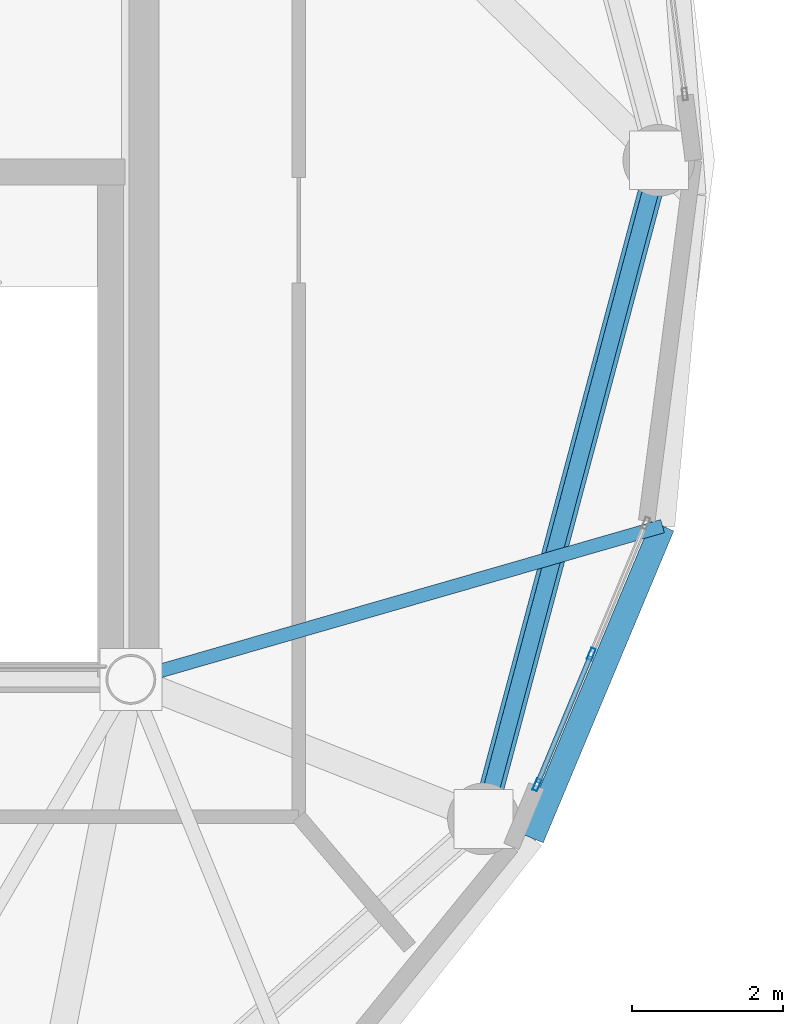
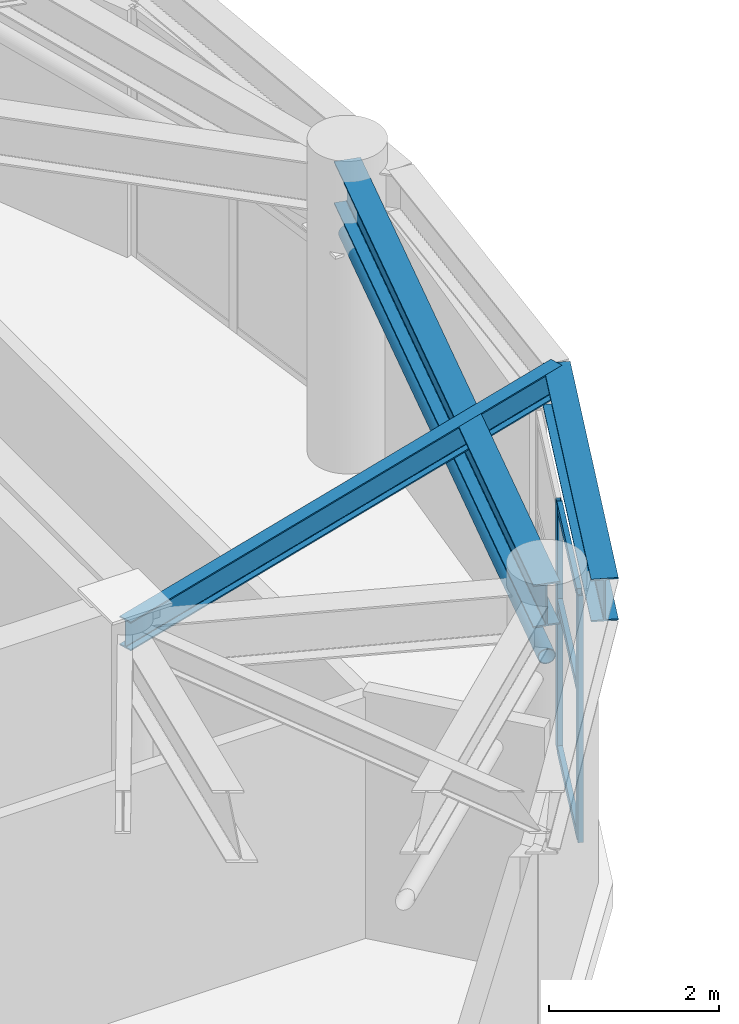
# One storey, part 5 of 26: 6 members, 3 beams, 1 element without a shape of its own.
"""IFC4 building model written with IfcOpenShell, lengths in metres."""

from ifc_helpers import new_model, si_unit, direction, frame, origin, origin_2d, place, context, subcontext, project, spatial, hollow_rectangle, hollow_circle, i_section, extrude, material, layer, layer_set, material_profile, profile_set, type_object, element, aggregate, save


model = new_model("IFC4")

# Units and contexts
model_context = context("Model", 3, precision=1e-05, world=origin(), true_north=direction((0.0, 1.0)))
body_context = subcontext(model_context, "Body", "Model", "MODEL_VIEW")
ifc_project = project(units=[si_unit("LENGTHUNIT", "METRE"), si_unit("AREAUNIT", "SQUARE_METRE"), si_unit("VOLUMEUNIT", "CUBIC_METRE"), si_unit("PLANEANGLEUNIT", "RADIAN"), si_unit("MASSUNIT", "GRAM", prefix="KILO")], contexts=[model_context])

# Site, building, storey
site_placement = place(None, origin())
site = spatial("IfcSite", under=ifc_project, at=site_placement, CompositionType="ELEMENT")
building_placement = place(site_placement, origin())
building = spatial("IfcBuilding", under=site, at=building_placement, Name="Cununo Teusaquillo Station Towers", CompositionType="ELEMENT")
storey_placement = place(building_placement, frame((0.0, 0.0, 240.330078125)))
storey = spatial("IfcBuildingStorey", under=building, at=storey_placement, Name="L76", CompositionType="ELEMENT", Elevation=240.330078125)

# Beams
ifc_material_1 = material(Name="Steel ASTM A572 Grade 50", Category="steel")
ifc_material_profile_1 = material_profile(ifc_material_1, i_section(OverallWidth=0.180908203125, OverallDepth=0.4169921875, WebThickness=0.010986328125, FlangeThickness=0.018310546875, FilletRadius=0.012939453125, at=origin_2d()), Name="W16X57")
ifc_profile_set_1 = profile_set([ifc_material_profile_1], Name="Steel ASTM A572 Grade 50")
beam_type_1 = type_object("IfcBeamType", Name="BM-JOIST-1", PredefinedType="JOIST", material=ifc_profile_set_1)
beam_1_placement = place(storey_placement, frame((21.675048828125, 17.6201171875, 3.991455078125), z_axis=(0.960861603375, 0.277028841748, 0.0), x_axis=(-0.277028841748, 0.960861603375, 0.0)))
element("IfcBeam", 1, at=beam_1_placement, inside=storey, type_object=beam_type_1, Name="L76 Tower A Radial Spandrel Joist V19", PredefinedType="JOIST", context=body_context, shape_type="SweptSolid", body=[
    extrude(i_section(OverallWidth=0.180908203125, OverallDepth=0.4169921875, WebThickness=0.010986328125, FlangeThickness=0.018310546875, FilletRadius=0.012939453125, at=origin_2d()), origin(), (0.0, 0.0, 1.0), 7.333251953125),
])
ifc_material_2 = material(Name="Steel ASTM A572 Grade 50", Category="steel")
ifc_material_profile_2 = material_profile(ifc_material_2, i_section(OverallWidth=0.324951171875, OverallDepth=0.615966796875, WebThickness=0.013916015625, FlangeThickness=0.021484375, FilletRadius=0.01611328125, at=origin_2d()), Name="W24X117")
ifc_profile_set_2 = profile_set([ifc_material_profile_2], Name="Steel ASTM A572 Grade 50")
beam_type_2 = type_object("IfcBeamType", Name="BM-PLNT-G2", PredefinedType="BEAM", material=ifc_profile_set_2)
beam_2_placement = place(storey_placement, frame((26.347412109375, 15.771484375, 3.891845703125), z_axis=(0.257363196347, 0.966314744359, 0.0), x_axis=(-0.966314744359, 0.257363196347, 0.0)))
element("IfcBeam", 2, at=beam_2_placement, inside=storey, type_object=beam_type_2, Name="L76 Tower A Structural Column Ring Girder 10", PredefinedType="BEAM", context=body_context, shape_type="SweptSolid", body=[
    extrude(i_section(OverallWidth=0.324951171875, OverallDepth=0.615966796875, WebThickness=0.013916015625, FlangeThickness=0.021484375, FilletRadius=0.01611328125, at=origin_2d()), origin(), (0.0, 0.0, 1.0), 9.03271484375),
])
beam_3_placement = place(storey_placement, frame((26.990478515625, 15.516845703125, 3.891845703125), z_axis=(0.386115454066, 0.922450462698, 0.0), x_axis=(-0.922450462698, 0.386115454066, 0.0)))
element("IfcBeam", 3, at=beam_3_placement, inside=storey, type_object=beam_type_2, Name="L76 Tower A Spandrel Ring Beam 19", PredefinedType="BEAM", context=body_context, shape_type="SweptSolid", body=[
    extrude(i_section(OverallWidth=0.324951171875, OverallDepth=0.615966796875, WebThickness=0.013916015625, FlangeThickness=0.021484375, FilletRadius=0.01611328125, at=origin_2d()), origin(), (0.0, 0.0, 1.0), 4.482421875),
])

# Curtain wall, members
ifc_material_3 = material(Name="Ceramic-fritted dark low-E double glazing", Category="glass")
ifc_layer = layer(ifc_material_3, 0.179931640625)
ifc_layer_set = layer_set([ifc_layer], Name="Ceramic-fritted dark low-E double glazing")
curtain_wall_type = type_object("IfcCurtainWallType", Name="CW-SYS-08", PredefinedType="USERDEFINED", material=ifc_layer_set)
curtain_wall_placement = place(storey_placement, origin())
curtain_wall = element("IfcCurtainWall", 4, at=curtain_wall_placement, inside=storey, type_object=curtain_wall_type, Name="L76 Tower A Crown Drum Glazed Screen C18", ObjectType="FRITTED GLAZING", PredefinedType="USERDEFINED")
ifc_material_4 = material(Name="Anodised dark bronze aluminium EN AW-6063-T6", Category="aluminium")
ifc_material_profile_3 = material_profile(ifc_material_4, hollow_rectangle(XDim=0.06494140625, YDim=0.159912109375, WallThickness=0.00390625, at=origin_2d()), Name="CW-MULL-65x160")
ifc_profile_set_3 = profile_set([ifc_material_profile_3], Name="Anodised dark bronze aluminium EN AW-6063-T6")
member_type_1 = type_object("IfcMemberType", Name="CWM-160", PredefinedType="MULLION", material=ifc_profile_set_3)
member_1_placement = place(storey_placement, frame((27.778076171875, 17.95556640625, 0.0), z_axis=(0.0, 0.0, 1.0), x_axis=(0.923306740191, -0.384063358729, 0.0)))
member_1 = element("IfcMember", 5, at=member_1_placement, type_object=member_type_1, Name="CW-08 mullion 2", PredefinedType="MULLION", context=body_context, shape_type="SweptSolid", body=[
    extrude(hollow_rectangle(XDim=0.06494140625, YDim=0.159912109375, WallThickness=0.00390625, at=origin_2d()), origin(), (0.0, 0.0, 1.0), 3.555908203125),
])
member_2_placement = place(storey_placement, frame((27.056884765625, 16.221923828125, 0.0), z_axis=(0.0, 0.0, 1.0), x_axis=(0.923306740191, -0.384063358729, 0.0)))
member_2 = element("IfcMember", 6, at=member_2_placement, type_object=member_type_1, Name="CW-08 mullion 3", PredefinedType="MULLION", context=body_context, shape_type="SweptSolid", body=[
    extrude(hollow_rectangle(XDim=0.06494140625, YDim=0.159912109375, WallThickness=0.00390625, at=origin_2d()), origin(), (0.0, 0.0, 1.0), 3.555908203125),
])
ifc_material_5 = material(Name="Anodised dark bronze aluminium EN AW-6063-T6", Category="aluminium")
ifc_material_profile_4 = material_profile(ifc_material_5, hollow_rectangle(XDim=0.06494140625, YDim=0.1201171875, WallThickness=0.00390625, at=origin_2d()), Name="CW-TRAN-65x120")
ifc_profile_set_4 = profile_set([ifc_material_profile_4], Name="Anodised dark bronze aluminium EN AW-6063-T6")
member_type_2 = type_object("IfcMemberType", Name="CWT-120", PredefinedType="USERDEFINED", material=ifc_profile_set_4)
member_3_placement = place(storey_placement, frame((27.765625, 17.925537109375, 0.032470703125), z_axis=(-0.384079825978, -0.923299890218, 0.0), x_axis=(0.923299890218, -0.384079825978, 0.0)))
member_3 = element("IfcMember", 7, at=member_3_placement, type_object=member_type_2, Name="CW-08 transom 2.1", ObjectType="TRANSOM", PredefinedType="USERDEFINED", context=body_context, shape_type="SweptSolid", body=[
    extrude(hollow_rectangle(XDim=0.06494140625, YDim=0.1201171875, WallThickness=0.00390625, at=origin_2d()), origin(), (0.0, 0.0, 1.0), 1.81298828125),
])
member_4_placement = place(storey_placement, frame((27.765625, 17.925537109375, 2.14990234375), z_axis=(-0.384079825978, -0.923299890218, 0.0), x_axis=(0.923299890218, -0.384079825978, 0.0)))
member_4 = element("IfcMember", 8, at=member_4_placement, type_object=member_type_2, Name="CW-08 transom 2.2", ObjectType="TRANSOM", PredefinedType="USERDEFINED", context=body_context, shape_type="SweptSolid", body=[
    extrude(hollow_rectangle(XDim=0.06494140625, YDim=0.1201171875, WallThickness=0.00390625, at=origin_2d()), origin(), (0.0, 0.0, 1.0), 1.81298828125),
])
member_5_placement = place(storey_placement, frame((27.765625, 17.925537109375, 3.5234375), z_axis=(-0.384079825978, -0.923299890218, 0.0), x_axis=(0.923299890218, -0.384079825978, 0.0)))
member_5 = element("IfcMember", 9, at=member_5_placement, type_object=member_type_2, Name="CW-08 transom 2.3", ObjectType="TRANSOM", PredefinedType="USERDEFINED", context=body_context, shape_type="SweptSolid", body=[
    extrude(hollow_rectangle(XDim=0.06494140625, YDim=0.1201171875, WallThickness=0.00390625, at=origin_2d()), origin(), (0.0, 0.0, 1.0), 1.81298828125),
])
aggregate(curtain_wall, [member_1, member_2, member_3, member_4, member_5])

# Member
ifc_material_6 = material(Name="Steel EN 10025-2 S355J2", Category="steel")
ifc_material_profile_5 = material_profile(ifc_material_6, hollow_circle(Radius=0.109619140625, WallThickness=0.010009765625, at=origin_2d()), Name="CHS 219x10")
ifc_profile_set_5 = profile_set([ifc_material_profile_5], Name="Steel EN 10025-2 S355J2")
member_type_3 = type_object("IfcMemberType", Name="MBR-DRUM-COL", PredefinedType="COLLAR", material=ifc_profile_set_5)
member_6_placement = place(storey_placement, frame((26.347412109375, 15.771484375, 3.14990234375), z_axis=(0.257363196347, 0.966314744359, 0.0), x_axis=(-0.966314744359, 0.257363196347, 0.0)))
element("IfcMember", 10, at=member_6_placement, inside=storey, type_object=member_type_3, Name="L76 Tower A Crown Drum Collar 10", PredefinedType="COLLAR", context=body_context, shape_type="SweptSolid", body=[
    extrude(hollow_circle(Radius=0.109619140625, WallThickness=0.010009765625, at=origin_2d()), origin(), (0.0, 0.0, 1.0), 9.03271484375),
])

save(model, "model.ifc")
